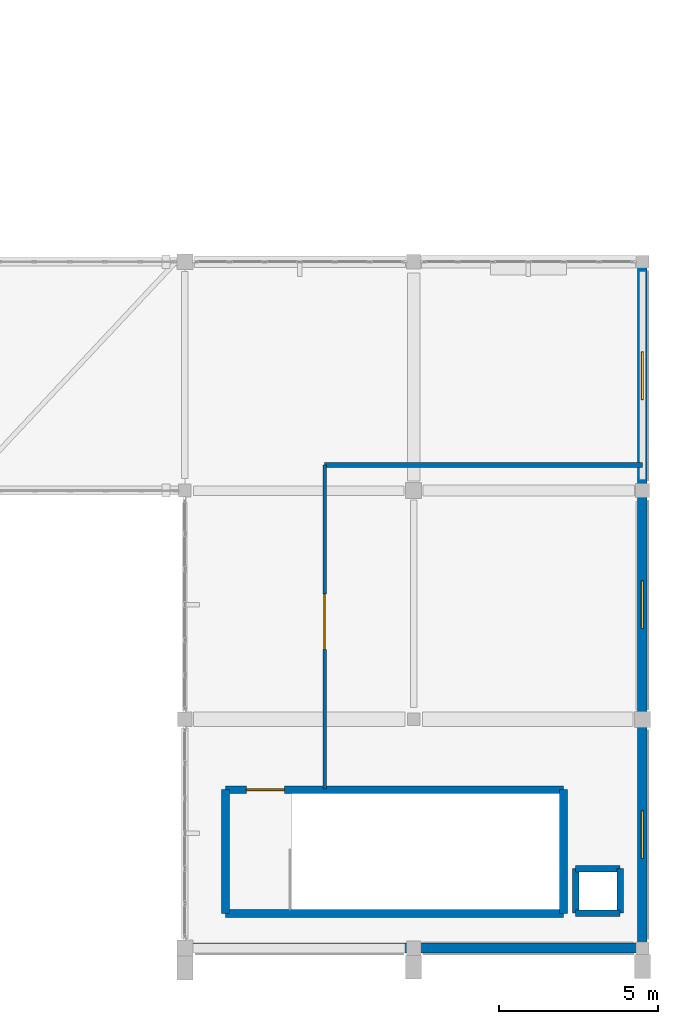
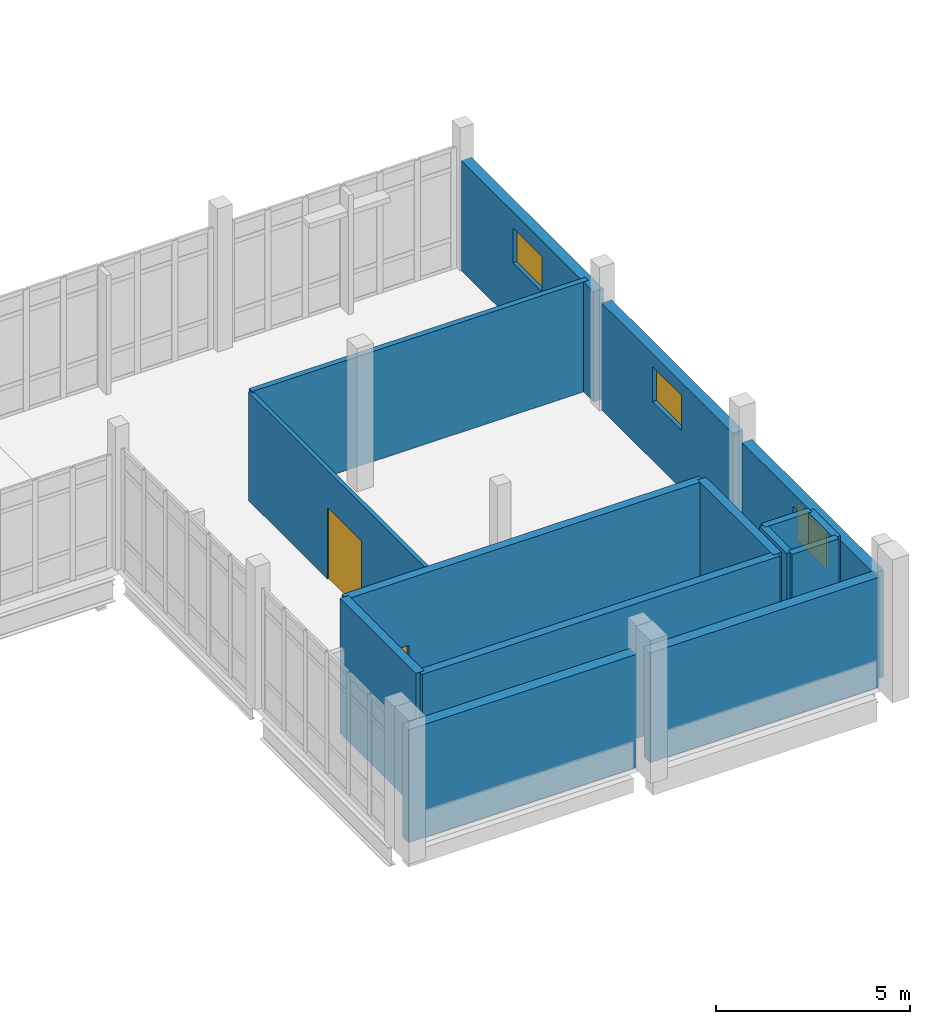
# One storey, part 102 of 116: 15 walls, 3 windows, 2 doors, 5 openings.
"""IFC4 building model written with IfcOpenShell, lengths in metres."""

from ifc_helpers import new_model, si_unit, direction, frame, frame_2d, origin, place, context, subcontext, project, spatial, rectangle, extrude, material, layer, layer_set, type_object, element, fill, save


model = new_model("IFC4")

# Units and contexts
model_context = context("Model", 3, precision=1e-05, world=origin(), true_north=direction((0.0, 1.0)))
body_context = subcontext(model_context, "Body", "Model", "MODEL_VIEW")
ifc_project = project(units=[si_unit("LENGTHUNIT", "METRE"), si_unit("AREAUNIT", "SQUARE_METRE"), si_unit("VOLUMEUNIT", "CUBIC_METRE"), si_unit("PLANEANGLEUNIT", "RADIAN"), si_unit("MASSUNIT", "GRAM", prefix="KILO")], contexts=[model_context])

# Site, building, storey
site_placement = place(None, origin())
site = spatial("IfcSite", under=ifc_project, at=site_placement, CompositionType="ELEMENT")
building_placement = place(site_placement, origin())
building = spatial("IfcBuilding", under=site, at=building_placement, Name="Kalluvel Institute of Natural Sciences", CompositionType="ELEMENT")
storey_placement = place(building_placement, frame((0.0, 0.0, 14.39990234375)))
storey = spatial("IfcBuildingStorey", under=building, at=storey_placement, Name="L03", CompositionType="ELEMENT", Elevation=14.39990234375)

# Walls
ifc_material_1 = material(Name="Concrete M40", Category="concrete")
ifc_layer_1 = layer(ifc_material_1, 0.25)
ifc_layer_set_1 = layer_set([ifc_layer_1], Name="Concrete M40")
wall_type_1 = type_object("IfcWallType", Name="WL-CORE-250", PredefinedType="SHEAR", material=ifc_layer_set_1)
wall_1_placement = place(storey_placement, frame((101.68505859375, 15.0849609375, 0.0), z_axis=(0.0, 0.0, 1.0), x_axis=(1.0, 0.0, 0.0)))
element("IfcWall", 1, at=wall_1_placement, inside=storey, type_object=wall_type_1, Name="ST7 L03 core wall S", PredefinedType="SHEAR", context=body_context, shape_type="SweptSolid", body=[
    extrude(rectangle(XDim=10.6298828125, YDim=0.25, at=frame_2d((5.31494140625, 0.0))), origin(), (0.0, 0.0, 1.0), 4.2451171875),
])
wall_2_placement = place(storey_placement, frame((112.31494140625, 15.0849609375, 0.0), z_axis=(0.0, 0.0, 1.0), x_axis=(0.0, 1.0, 0.0)))
element("IfcWall", 2, at=wall_2_placement, inside=storey, type_object=wall_type_1, Name="ST7 L03 core wall E", PredefinedType="SHEAR", context=body_context, shape_type="SweptSolid", body=[
    extrude(rectangle(XDim=3.900146484375, YDim=0.25, at=frame_2d((1.9501953125, 0.0))), origin(), (0.0, 0.0, 1.0), 4.2451171875),
])

# Wall, opening, door
wall_3_placement = place(storey_placement, frame((112.31494140625, 18.985107421875, 0.0), z_axis=(0.0, 0.0, 1.0), x_axis=(-1.0, 0.0, 0.0)))
wall_3 = element("IfcWall", 3, at=wall_3_placement, inside=storey, type_object=wall_type_1, Name="ST7 L03 core wall N", PredefinedType="SHEAR", context=body_context, shape_type="SweptSolid", body=[
    extrude(rectangle(XDim=10.6298828125, YDim=0.25, at=frame_2d((5.31494140625, 0.0))), origin(), (0.0, 0.0, 1.0), 4.2451171875),
])
opening_1_placement = place(wall_3_placement, frame((8.780029296875, 0.0, 0.0)))
opening_1 = element("IfcOpeningElement", 4, at=opening_1_placement, cuts=wall_3, Name="Opening DS-049", PredefinedType="OPENING", context=body_context, shape_type="SweptSolid", body=[
    extrude(rectangle(XDim=1.199951171875, YDim=2.14990234375, at=frame_2d((0.60009765625, 1.074951171875))), frame((0.0, 0.135009765625, 0.0), z_axis=(0.0, -1.0, 0.0), x_axis=(1.0, 0.0, 0.0)), (0.0, 0.0, 1.0), 0.27001953125),
])
ifc_material_2 = material(Name="Galvanized Fire-Rated Steel", Category="steel")
door_type_1 = type_object("IfcDoorType", Name="DR-ST-1200", OperationType="NOTDEFINED", PredefinedType="DOOR", material=ifc_material_2)
door_1_placement = place(opening_1_placement, origin())
door_1 = element("IfcDoor", 5, at=door_1_placement, inside=storey, type_object=door_type_1, Name="ST7 L03 protected stair door DS-049", OperationType="SINGLE_SWING_RIGHT", OverallHeight=2.14990234375, OverallWidth=1.199951171875, PredefinedType="DOOR", context=body_context, shape_type="SweptSolid", body=[
    extrude(rectangle(XDim=1.199951171875, YDim=2.14990234375, at=frame_2d((0.60009765625, 1.074951171875))), frame((0.0, 0.02490234375, 0.0), z_axis=(0.0, -1.0, 0.0), x_axis=(1.0, 0.0, 0.0)), (0.0, 0.0, 1.0), 0.050048828125),
])
fill(opening_1, door_1)

# Wall
wall_4_placement = place(storey_placement, frame((101.68505859375, 18.985107421875, 0.0), z_axis=(0.0, 0.0, 1.0), x_axis=(0.0, -1.0, 0.0)))
element("IfcWall", 6, at=wall_4_placement, inside=storey, type_object=wall_type_1, Name="ST7 L03 core wall W", PredefinedType="SHEAR", context=body_context, shape_type="SweptSolid", body=[
    extrude(rectangle(XDim=3.900146484375, YDim=0.25, at=frame_2d((1.9501953125, 0.0))), origin(), (0.0, 0.0, 1.0), 4.2451171875),
])

# Wall, opening, window
ifc_material_3 = material(Name="Sadarahalli Grey Granite Ashlar Concrete M40", Category="masonry")
ifc_layer_2 = layer(ifc_material_3, 0.300048828125)
ifc_layer_set_2 = layer_set([ifc_layer_2], Name="Sadarahalli Grey Granite Ashlar Concrete M40")
wall_type_2 = type_object("IfcWallType", Name="WL-EXT-300", PredefinedType="SOLIDWALL", material=ifc_layer_set_2)
wall_5_placement = place(storey_placement, frame((114.800048828125, 14.179931640625, 0.0), z_axis=(0.0, 0.0, 1.0), x_axis=(0.0, 1.0, 0.0)))
wall_5 = element("IfcWall", 7, at=wall_5_placement, inside=storey, type_object=wall_type_2, Name="L03 Sadarahalli granite exterior wall WL-EXT-L03-0234", PredefinedType="SOLIDWALL", context=body_context, shape_type="SweptSolid", body=[
    extrude(rectangle(XDim=6.7900390625, YDim=0.300048828125, at=frame_2d((3.39501953125, 0.0))), origin(), (0.0, 0.0, 1.0), 3.35498046875),
])
opening_2_placement = place(wall_5_placement, frame((2.64501953125, 0.0, 1.85009765625)))
opening_2 = element("IfcOpeningElement", 8, at=opening_2_placement, cuts=wall_5, Name="Opening W-12", PredefinedType="OPENING", context=body_context, shape_type="SweptSolid", body=[
    extrude(rectangle(XDim=1.5, YDim=1.10009765625, at=frame_2d((0.75, 0.550048828125))), frame((0.0, 0.159912109375, 0.0), z_axis=(0.0, -1.0, 0.0), x_axis=(1.0, 0.0, 0.0)), (0.0, 0.0, 1.0), 0.320068359375),
])
ifc_material_4 = material(Name="Solar-Control Low-E Laminated Glass", Category="glass")
window_type = type_object("IfcWindowType", Name="WN-HIGH-150x110", PartitioningType="SINGLE_PANEL", PredefinedType="WINDOW", material=ifc_material_4)
window_1_placement = place(opening_2_placement, origin())
window_1 = element("IfcWindow", 9, at=window_1_placement, inside=storey, type_object=window_type, Name="L03 Gothic lancet window 41", OverallHeight=1.10009765625, OverallWidth=1.5, PartitioningType="SINGLE_PANEL", PredefinedType="WINDOW", context=body_context, shape_type="SweptSolid", body=[
    extrude(rectangle(XDim=1.5, YDim=1.10009765625, at=frame_2d((0.75, 0.550048828125))), frame((0.0, 0.030029296875, 0.0), z_axis=(0.0, -1.0, 0.0), x_axis=(1.0, 0.0, 0.0)), (0.0, 0.0, 1.0), 0.06005859375),
])
fill(opening_2, window_1)

wall_6_placement = place(storey_placement, frame((114.800048828125, 21.429931640625, 0.0), z_axis=(0.0, 0.0, 1.0), x_axis=(0.0, 1.0, 0.0)))
wall_6 = element("IfcWall", 10, at=wall_6_placement, inside=storey, type_object=wall_type_2, Name="L03 Sadarahalli granite exterior wall WL-EXT-L03-0235", PredefinedType="SOLIDWALL", context=body_context, shape_type="SweptSolid", body=[
    extrude(rectangle(XDim=6.76513671875, YDim=0.300048828125, at=frame_2d((3.382568359375, 0.0))), origin(), (0.0, 0.0, 1.0), 3.35498046875),
])
opening_3_placement = place(wall_6_placement, frame((2.632568359375, 0.0, 1.85009765625)))
opening_3 = element("IfcOpeningElement", 11, at=opening_3_placement, cuts=wall_6, Name="Opening W-12", PredefinedType="OPENING", context=body_context, shape_type="SweptSolid", body=[
    extrude(rectangle(XDim=1.5, YDim=1.10009765625, at=frame_2d((0.75, 0.550048828125))), frame((0.0, 0.159912109375, 0.0), z_axis=(0.0, -1.0, 0.0), x_axis=(1.0, 0.0, 0.0)), (0.0, 0.0, 1.0), 0.320068359375),
])
window_2_placement = place(opening_3_placement, origin())
window_2 = element("IfcWindow", 12, at=window_2_placement, inside=storey, type_object=window_type, Name="L03 Gothic lancet window 42", OverallHeight=1.10009765625, OverallWidth=1.5, PartitioningType="SINGLE_PANEL", PredefinedType="WINDOW", context=body_context, shape_type="SweptSolid", body=[
    extrude(rectangle(XDim=1.5, YDim=1.10009765625, at=frame_2d((0.75, 0.550048828125))), frame((0.0, 0.030029296875, 0.0), z_axis=(0.0, -1.0, 0.0), x_axis=(1.0, 0.0, 0.0)), (0.0, 0.0, 1.0), 0.06005859375),
])
fill(opening_3, window_2)

wall_7_placement = place(storey_placement, frame((114.800048828125, 28.60498046875, 0.0), z_axis=(0.0, 0.0, 1.0), x_axis=(0.0, 1.0, 0.0)))
wall_7 = element("IfcWall", 13, at=wall_7_placement, inside=storey, type_object=wall_type_2, Name="L03 Sadarahalli granite exterior wall WL-EXT-L03-0236", PredefinedType="SOLIDWALL", context=body_context, shape_type="SweptSolid", body=[
    extrude(rectangle(XDim=6.81494140625, YDim=0.300048828125, at=frame_2d((3.407470703125, 0.0))), origin(), (0.0, 0.0, 1.0), 3.455078125),
])
opening_4_placement = place(wall_7_placement, frame((2.657470703125, 0.0, 1.85009765625)))
opening_4 = element("IfcOpeningElement", 14, at=opening_4_placement, cuts=wall_7, Name="Opening W-12", PredefinedType="OPENING", context=body_context, shape_type="SweptSolid", body=[
    extrude(rectangle(XDim=1.5, YDim=1.10009765625, at=frame_2d((0.75, 0.550048828125))), frame((0.0, 0.159912109375, 0.0), z_axis=(0.0, -1.0, 0.0), x_axis=(1.0, 0.0, 0.0)), (0.0, 0.0, 1.0), 0.320068359375),
])
window_3_placement = place(opening_4_placement, origin())
window_3 = element("IfcWindow", 15, at=window_3_placement, inside=storey, type_object=window_type, Name="L03 Gothic lancet window 43", OverallHeight=1.10009765625, OverallWidth=1.5, PartitioningType="SINGLE_PANEL", PredefinedType="WINDOW", context=body_context, shape_type="SweptSolid", body=[
    extrude(rectangle(XDim=1.5, YDim=1.10009765625, at=frame_2d((0.75, 0.550048828125))), frame((0.0, 0.030029296875, 0.0), z_axis=(0.0, -1.0, 0.0), x_axis=(1.0, 0.0, 0.0)), (0.0, 0.0, 1.0), 0.06005859375),
])
fill(opening_4, window_3)

# Walls
ifc_layer_3 = layer(ifc_material_3, 0.320068359375)
ifc_layer_set_3 = layer_set([ifc_layer_3], Name="Sadarahalli Grey Granite Ashlar Concrete M40")
wall_type_3 = type_object("IfcWallType", Name="WL-EXT-320", PredefinedType="SOLIDWALL", material=ifc_layer_set_3)
wall_8_placement = place(storey_placement, frame((100.6298828125, 14.0, 0.0), z_axis=(0.0, 0.0, 1.0), x_axis=(1.0, 0.0, 0.0)))
element("IfcWall", 16, at=wall_8_placement, inside=storey, type_object=wall_type_3, Name="L03 Sadarahalli granite exterior wall WL-EXT-L03-0232", PredefinedType="SOLIDWALL", context=body_context, shape_type="SweptSolid", body=[
    extrude(rectangle(XDim=6.76513671875, YDim=0.320068359375, at=frame_2d((3.382568359375, 0.0))), origin(), (0.0, 0.0, 1.0), 3.55517578125),
])
wall_9_placement = place(storey_placement, frame((107.804931640625, 14.0, 0.0), z_axis=(0.0, 0.0, 1.0), x_axis=(1.0, 0.0, 0.0)))
element("IfcWall", 17, at=wall_9_placement, inside=storey, type_object=wall_type_3, Name="L03 Sadarahalli granite exterior wall WL-EXT-L03-0233", PredefinedType="SOLIDWALL", context=body_context, shape_type="SweptSolid", body=[
    extrude(rectangle(XDim=6.815185546875, YDim=0.320068359375, at=frame_2d((3.40771484375, 0.0))), origin(), (0.0, 0.0, 1.0), 3.455078125),
])

# Wall, opening, door
ifc_material_5 = material(Name="Acoustic Gypsum Twin-Stud Partition", Category="gypsum")
ifc_layer_4 = layer(ifc_material_5, 0.1201171875)
ifc_layer_set_4 = layer_set([ifc_layer_4], Name="Acoustic Gypsum Twin-Stud Partition")
wall_type_4 = type_object("IfcWallType", Name="WL-PART-120", PredefinedType="PARTITIONING", material=ifc_layer_set_4)
wall_10_placement = place(storey_placement, frame((104.800048828125, 19.0, 0.0), z_axis=(0.0, 0.0, 1.0), x_axis=(0.0, 1.0, 0.0)))
wall_10 = element("IfcWall", 18, at=wall_10_placement, inside=storey, type_object=wall_type_4, Name="L03 interior partition wall WL-INT-L03-0202", PredefinedType="PARTITIONING", context=body_context, shape_type="SweptSolid", body=[
    extrude(rectangle(XDim=10.199951171875, YDim=0.1201171875, at=frame_2d((5.10009765625, 0.0))), origin(), (0.0, 0.0, 1.0), 3.41015625),
])
opening_5_placement = place(wall_10_placement, frame((4.39990234375, 0.0, 0.0)))
opening_5 = element("IfcOpeningElement", 19, at=opening_5_placement, cuts=wall_10, Name="Opening D-168", PredefinedType="OPENING", context=body_context, shape_type="SweptSolid", body=[
    extrude(rectangle(XDim=1.75, YDim=2.25, at=frame_2d((0.875, 1.125))), frame((0.0, 0.070068359375, 0.0), z_axis=(0.0, -1.0, 0.0), x_axis=(1.0, 0.0, 0.0)), (0.0, 0.0, 1.0), 0.14013671875),
])
ifc_material_6 = material(Name="Aluminium AW-6063 T6", Category="aluminium")
door_type_2 = type_object("IfcDoorType", Name="DR-DBL-1750", OperationType="NOTDEFINED", PredefinedType="DOOR", material=ifc_material_6)
door_2_placement = place(opening_5_placement, origin())
door_2 = element("IfcDoor", 20, at=door_2_placement, inside=storey, type_object=door_type_2, Name="Third-Floor Natural Philosophy Colloquium Salon door D-168", OperationType="DOUBLE_DOOR_SINGLE_SWING", OverallHeight=2.25, OverallWidth=1.75, PredefinedType="DOOR", context=body_context, shape_type="SweptSolid", body=[
    extrude(rectangle(XDim=1.75, YDim=2.25, at=frame_2d((0.875, 1.125))), frame((0.0, 0.02490234375, 0.0), z_axis=(0.0, -1.0, 0.0), x_axis=(1.0, 0.0, 0.0)), (0.0, 0.0, 1.0), 0.050048828125),
])
fill(opening_5, door_2)

# Walls
ifc_material_7 = material(Name="Autoclaved Aerated Concrete Masonry Block", Category="masonry")
ifc_layer_5 = layer(ifc_material_7, 0.159912109375)
ifc_layer_set_5 = layer_set([ifc_layer_5], Name="Autoclaved Aerated Concrete Masonry Block")
wall_type_5 = type_object("IfcWallType", Name="WL-PART-160", PredefinedType="PARTITIONING", material=ifc_layer_set_5)
wall_11_placement = place(storey_placement, frame((104.800048828125, 29.199951171875, 0.0), z_axis=(0.0, 0.0, 1.0), x_axis=(1.0, 0.0, 0.0)))
element("IfcWall", 21, at=wall_11_placement, inside=storey, type_object=wall_type_5, Name="L03 interior partition wall WL-INT-L03-0203", PredefinedType="PARTITIONING", context=body_context, shape_type="SweptSolid", body=[
    extrude(rectangle(XDim=10.0, YDim=0.159912109375, at=frame_2d((5.0, 0.0))), origin(), (0.0, 0.0, 1.0), 3.460205078125),
])
ifc_layer_6 = layer(ifc_material_1, 0.199951171875)
ifc_layer_set_6 = layer_set([ifc_layer_6], Name="Concrete M40")
wall_type_6 = type_object("IfcWallType", Name="WL-RISER-200", PredefinedType="SHEAR", material=ifc_layer_set_6)
wall_12_placement = place(storey_placement, frame((112.699951171875, 15.10009765625, 0.0), z_axis=(0.0, 0.0, 1.0), x_axis=(1.0, 0.0, 0.0)))
element("IfcWall", 22, at=wall_12_placement, inside=storey, type_object=wall_type_6, Name="RS-ECOM L03 service riser enclosure S", PredefinedType="SHEAR", context=body_context, shape_type="SweptSolid", body=[
    extrude(rectangle(XDim=1.400146484375, YDim=0.199951171875, at=frame_2d((0.7001953125, 0.0))), origin(), (0.0, 0.0, 1.0), 4.14013671875),
])
wall_13_placement = place(storey_placement, frame((114.10009765625, 15.10009765625, 0.0), z_axis=(0.0, 0.0, 1.0), x_axis=(0.0, 1.0, 0.0)))
element("IfcWall", 23, at=wall_13_placement, inside=storey, type_object=wall_type_6, Name="RS-ECOM L03 service riser enclosure E", PredefinedType="SHEAR", context=body_context, shape_type="SweptSolid", body=[
    extrude(rectangle(XDim=1.39990234375, YDim=0.199951171875, at=frame_2d((0.699951171875, 0.0))), origin(), (0.0, 0.0, 1.0), 4.14013671875),
])
wall_14_placement = place(storey_placement, frame((114.10009765625, 16.5, 0.0), z_axis=(0.0, 0.0, 1.0), x_axis=(-1.0, 0.0, 0.0)))
element("IfcWall", 24, at=wall_14_placement, inside=storey, type_object=wall_type_6, Name="RS-ECOM L03 service riser enclosure N", PredefinedType="SHEAR", context=body_context, shape_type="SweptSolid", body=[
    extrude(rectangle(XDim=1.400146484375, YDim=0.199951171875, at=frame_2d((0.7001953125, 0.0))), origin(), (0.0, 0.0, 1.0), 4.14013671875),
])
wall_15_placement = place(storey_placement, frame((112.699951171875, 16.5, 0.0), z_axis=(0.0, 0.0, 1.0), x_axis=(0.0, -1.0, 0.0)))
element("IfcWall", 25, at=wall_15_placement, inside=storey, type_object=wall_type_6, Name="RS-ECOM L03 service riser enclosure W", PredefinedType="SHEAR", context=body_context, shape_type="SweptSolid", body=[
    extrude(rectangle(XDim=1.39990234375, YDim=0.199951171875, at=frame_2d((0.699951171875, 0.0))), origin(), (0.0, 0.0, 1.0), 4.14013671875),
])

save(model, "model.ifc")
